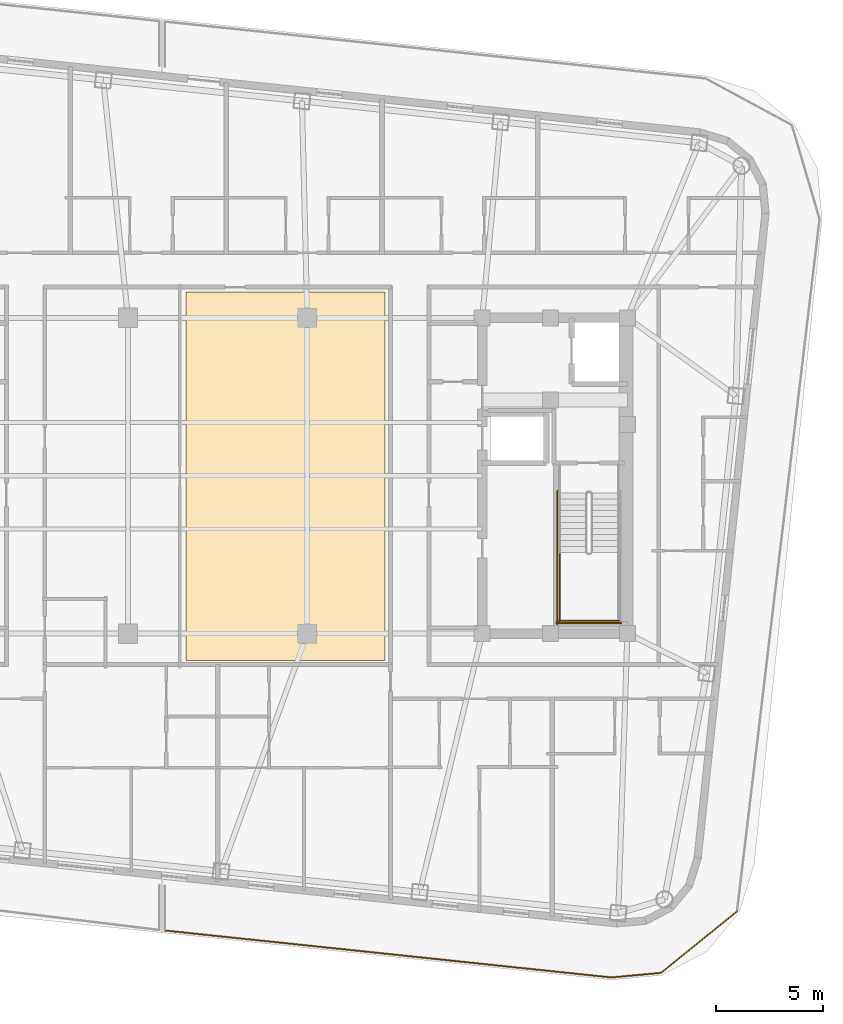
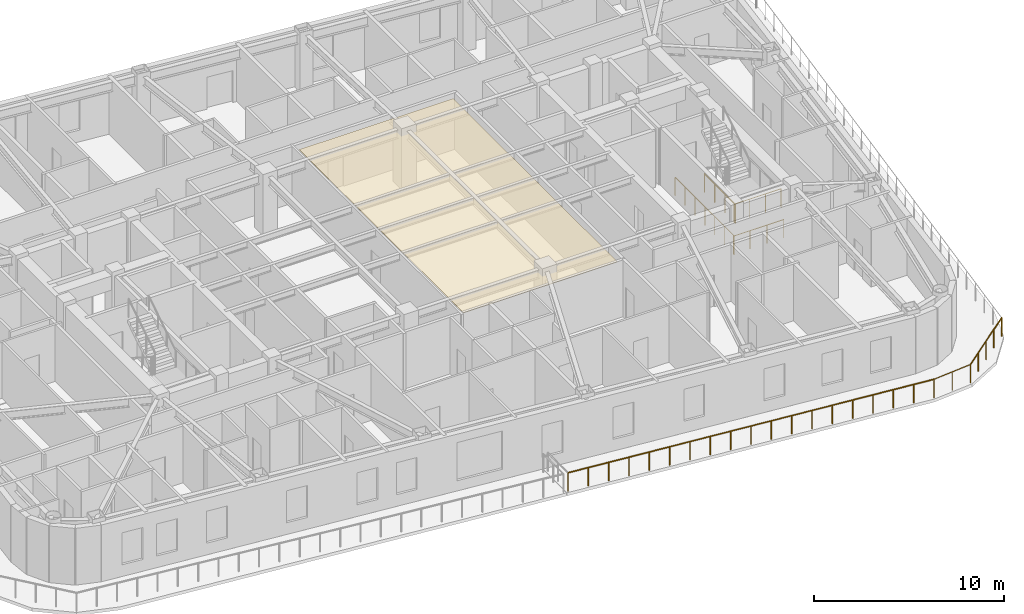
# One storey, part 12 of 14: 7 railings, 1 covering.
"""IFC4 building model written with IfcOpenShell, lengths in metres."""

from ifc_helpers import new_model, si_unit, direction, frame, origin, origin_2d, place, context, subcontext, project, spatial, polyline, circle, outline, extrude, material, layer, layer_set, type_object, element, save


model = new_model("IFC4")

# Units and contexts
model_context = context("Model", 3, precision=1e-05, world=origin(), true_north=direction((0.0, 1.0)))
body_context = subcontext(model_context, "Body", "Model", "MODEL_VIEW")
ifc_project = project(units=[si_unit("LENGTHUNIT", "METRE"), si_unit("AREAUNIT", "SQUARE_METRE"), si_unit("VOLUMEUNIT", "CUBIC_METRE"), si_unit("PLANEANGLEUNIT", "RADIAN"), si_unit("MASSUNIT", "GRAM", prefix="KILO")], contexts=[model_context])

# Site, building, storey
site_placement = place(None, origin())
site = spatial("IfcSite", under=ifc_project, at=site_placement, CompositionType="ELEMENT")
building_placement = place(site_placement, origin())
building = spatial("IfcBuilding", under=site, at=building_placement, Name="Voryun Gate Residences", CompositionType="ELEMENT")
storey_placement = place(building_placement, frame((0.0, 0.0, 291.199951171875)))
storey = spatial("IfcBuildingStorey", under=building, at=storey_placement, Name="L72", CompositionType="ELEMENT", Elevation=291.199951171875)

# Covering
ifc_material_1 = material(Name="Gypsum acoustic ceiling")
ifc_layer = layer(ifc_material_1, 0.02490234375, Name="COV_CEILING_ACOUSTIC")
ifc_layer_set = layer_set([ifc_layer], Name="Gypsum acoustic ceiling")
covering_type = type_object("IfcCoveringType", Name="COV_CEILING_ACOUSTIC", PredefinedType="CEILING", material=ifc_layer_set)
covering_placement = place(storey_placement, frame((0.0, 0.0, 3.385009765625)))
element("IfcCovering", 1, at=covering_placement, inside=storey, type_object=covering_type, Name="Acoustic ceiling CLG-L72-01", PredefinedType="CEILING", context=body_context, shape_type="SweptSolid", body=[
    extrude(outline(polyline([(-1.492919921875, -8.64990234375), (-1.492919921875, 8.60009765625), (7.840087890625, 8.60009765625), (7.840087890625, -8.64990234375), (-1.492919921875, -8.64990234375)])), origin(), (0.0, 0.0, 1.0), 0.025146484375),
])

# Railings
ifc_material_2 = material(Name="Anodised aluminium", Category="aluminium")
railing_type_1 = type_object("IfcRailingType", Name="RAIL_BALCONY_GUARD_1200", PredefinedType="GUARDRAIL", material=ifc_material_2)
railing_1_placement = place(storey_placement, frame((24.336181640625, -20.4150390625, 0.0)))
element("IfcRailing", 2, at=railing_1_placement, inside=storey, type_object=railing_type_1, Name="Terrace guard RL-L72-P2L1-04", PredefinedType="GUARDRAIL", context=body_context, shape_type="SweptSolid", body=[
    extrude(circle(Radius=0.02392578125, at=origin_2d()), frame((0.0, 0.0, 1.17578125), z_axis=(-0.777142956808, -0.629324101465, 0.0), x_axis=(0.629324101465, -0.777142956808, 0.0)), (0.0, 0.0, 1.0), 4.574951171875),
    extrude(circle(Radius=0.02099609375, at=origin_2d()), origin(), (0.0, 0.0, 1.0), 1.15185546875),
    extrude(circle(Radius=0.02099609375, at=origin_2d()), frame((-0.888916015625, -0.7197265625, 0.0)), (0.0, 0.0, 1.0), 1.15185546875),
    extrude(circle(Radius=0.02099609375, at=origin_2d()), frame((-1.77783203125, -1.439453125, 0.0)), (0.0, 0.0, 1.0), 1.15185546875),
    extrude(circle(Radius=0.02099609375, at=origin_2d()), frame((-2.66650390625, -2.159423828125, 0.0)), (0.0, 0.0, 1.0), 1.15185546875),
    extrude(circle(Radius=0.02099609375, at=origin_2d()), frame((-3.555419921875, -2.879150390625, 0.0)), (0.0, 0.0, 1.0), 1.15185546875),
])
railing_2_placement = place(storey_placement, frame((20.78076171875, -23.294189453125, 0.0)))
element("IfcRailing", 3, at=railing_2_placement, inside=storey, type_object=railing_type_1, Name="Terrace guard RL-L72-P2L1-05", PredefinedType="GUARDRAIL", context=body_context, shape_type="SweptSolid", body=[
    extrude(circle(Radius=0.02392578125, at=origin_2d()), frame((0.0, 0.0, 1.17578125), z_axis=(-0.995802234951, -0.091530917549, 0.0), x_axis=(0.091530917549, -0.995802234951, 0.0)), (0.0, 0.0, 1.0), 2.344482421875),
    extrude(circle(Radius=0.02099609375, at=origin_2d()), origin(), (0.0, 0.0, 1.0), 1.15185546875),
    extrude(circle(Radius=0.02099609375, at=origin_2d()), frame((-1.16748046875, -0.107421875, 0.0)), (0.0, 0.0, 1.0), 1.15185546875),
    extrude(circle(Radius=0.02099609375, at=origin_2d()), frame((-2.334716796875, -0.214599609375, 0.0)), (0.0, 0.0, 1.0), 1.15185546875),
])
railing_3_placement = place(storey_placement, frame((18.446044921875, -23.5087890625, 0.0)))
element("IfcRailing", 4, at=railing_3_placement, inside=storey, type_object=railing_type_1, Name="Terrace guard RL-L72-P2L1-06", PredefinedType="GUARDRAIL", context=body_context, shape_type="SweptSolid", body=[
    extrude(circle(Radius=0.02392578125, at=origin_2d()), frame((0.0, 0.0, 1.17578125), z_axis=(-0.994521279952, 0.1045343184, 0.0), x_axis=(-0.1045343184, -0.994521279952, 0.0)), (0.0, 0.0, 1.0), 21.03125),
    extrude(circle(Radius=0.02099609375, at=origin_2d()), origin(), (0.0, 0.0, 1.0), 1.15185546875),
    extrude(circle(Radius=0.02099609375, at=origin_2d()), frame((-1.162109375, 0.1220703125, 0.0)), (0.0, 0.0, 1.0), 1.15185546875),
    extrude(circle(Radius=0.02099609375, at=origin_2d()), frame((-2.323974609375, 0.244384765625, 0.0)), (0.0, 0.0, 1.0), 1.15185546875),
    extrude(circle(Radius=0.02099609375, at=origin_2d()), frame((-3.486083984375, 0.366455078125, 0.0)), (0.0, 0.0, 1.0), 1.15185546875),
    extrude(circle(Radius=0.02099609375, at=origin_2d()), frame((-4.64794921875, 0.488525390625, 0.0)), (0.0, 0.0, 1.0), 1.15185546875),
    extrude(circle(Radius=0.02099609375, at=origin_2d()), frame((-5.81005859375, 0.610595703125, 0.0)), (0.0, 0.0, 1.0), 1.15185546875),
    extrude(circle(Radius=0.02099609375, at=origin_2d()), frame((-6.971923828125, 0.73291015625, 0.0)), (0.0, 0.0, 1.0), 1.15185546875),
    extrude(circle(Radius=0.02099609375, at=origin_2d()), frame((-8.134033203125, 0.85498046875, 0.0)), (0.0, 0.0, 1.0), 1.15185546875),
    extrude(circle(Radius=0.02099609375, at=origin_2d()), frame((-9.2958984375, 0.97705078125, 0.0)), (0.0, 0.0, 1.0), 1.15185546875),
    extrude(circle(Radius=0.02099609375, at=origin_2d()), frame((-10.4580078125, 1.09912109375, 0.0)), (0.0, 0.0, 1.0), 1.15185546875),
    extrude(circle(Radius=0.02099609375, at=origin_2d()), frame((-11.6201171875, 1.221435546875, 0.0)), (0.0, 0.0, 1.0), 1.15185546875),
    extrude(circle(Radius=0.02099609375, at=origin_2d()), frame((-12.781982421875, 1.343505859375, 0.0)), (0.0, 0.0, 1.0), 1.15185546875),
    extrude(circle(Radius=0.02099609375, at=origin_2d()), frame((-13.944091796875, 1.465576171875, 0.0)), (0.0, 0.0, 1.0), 1.15185546875),
    extrude(circle(Radius=0.02099609375, at=origin_2d()), frame((-15.10595703125, 1.587890625, 0.0)), (0.0, 0.0, 1.0), 1.15185546875),
    extrude(circle(Radius=0.02099609375, at=origin_2d()), frame((-16.26806640625, 1.7099609375, 0.0)), (0.0, 0.0, 1.0), 1.15185546875),
    extrude(circle(Radius=0.02099609375, at=origin_2d()), frame((-17.429931640625, 1.83203125, 0.0)), (0.0, 0.0, 1.0), 1.15185546875),
    extrude(circle(Radius=0.02099609375, at=origin_2d()), frame((-18.592041015625, 1.9541015625, 0.0)), (0.0, 0.0, 1.0), 1.15185546875),
    extrude(circle(Radius=0.02099609375, at=origin_2d()), frame((-19.75390625, 2.076416015625, 0.0)), (0.0, 0.0, 1.0), 1.15185546875),
    extrude(circle(Radius=0.02099609375, at=origin_2d()), frame((-20.916015625, 2.198486328125, 0.0)), (0.0, 0.0, 1.0), 1.15185546875),
])
ifc_material_3 = material(Name="Painted steel", Category="steel")
railing_type_2 = type_object("IfcRailingType", Name="RAIL_STAIR_GUARD_1200", PredefinedType="GUARDRAIL", material=ifc_material_3)
railing_4_placement = place(storey_placement, frame((16.02490234375, -3.60009765625, 1.949951171875)))
element("IfcRailing", 5, at=railing_4_placement, inside=storey, type_object=railing_type_2, Name="L72 ST-E1 stair guard 3", PredefinedType="GUARDRAIL", context=body_context, shape_type="SweptSolid", body=[
    extrude(circle(Radius=0.02392578125, at=origin_2d()), frame((0.0, 0.0, 1.17578125), z_axis=(0.0, -1.0, 0.0), x_axis=(1.0, 0.0, 0.0)), (0.0, 0.0, 1.0), 3.25),
    extrude(circle(Radius=0.02099609375, at=origin_2d()), origin(), (0.0, 0.0, 1.0), 1.15185546875),
    extrude(circle(Radius=0.02099609375, at=origin_2d()), frame((0.0, -1.083251953125, 0.0)), (0.0, 0.0, 1.0), 1.15185546875),
    extrude(circle(Radius=0.02099609375, at=origin_2d()), frame((0.0, -2.166748046875, 0.0)), (0.0, 0.0, 1.0), 1.15185546875),
    extrude(circle(Radius=0.02099609375, at=origin_2d()), frame((0.0, -3.25, 0.0)), (0.0, 0.0, 1.0), 1.15185546875),
])
railing_5_placement = place(storey_placement, frame((15.97509765625, -6.800048828125, 1.949951171875)))
element("IfcRailing", 6, at=railing_5_placement, inside=storey, type_object=railing_type_2, Name="L72 ST-E1 stair guard 5", PredefinedType="GUARDRAIL", context=body_context, shape_type="SweptSolid", body=[
    extrude(circle(Radius=0.02392578125, at=origin_2d()), frame((0.0, 0.0, 1.17578125), z_axis=(1.0, 0.0, 0.0), x_axis=(0.0, 1.0, 0.0)), (0.0, 0.0, 1.0), 2.849853515625),
    extrude(circle(Radius=0.02099609375, at=origin_2d()), origin(), (0.0, 0.0, 1.0), 1.15185546875),
    extrude(circle(Radius=0.02099609375, at=origin_2d()), frame((0.949951171875, 0.0, 0.0)), (0.0, 0.0, 1.0), 1.15185546875),
    extrude(circle(Radius=0.02099609375, at=origin_2d()), frame((1.89990234375, 0.0, 0.0)), (0.0, 0.0, 1.0), 1.15185546875),
    extrude(circle(Radius=0.02099609375, at=origin_2d()), frame((2.849853515625, 0.0, 0.0)), (0.0, 0.0, 1.0), 1.15185546875),
])
railing_6_placement = place(storey_placement, frame((15.925048828125, -0.699951171875, 0.0)))
element("IfcRailing", 7, at=railing_6_placement, inside=storey, type_object=railing_type_2, Name="L72 ST-E1 stair guard 10", PredefinedType="GUARDRAIL", context=body_context, shape_type="SweptSolid", body=[
    extrude(circle(Radius=0.02392578125, at=origin_2d()), frame((0.0, 0.0, 1.17578125), z_axis=(0.0, -1.0, 0.0), x_axis=(1.0, 0.0, 0.0)), (0.0, 0.0, 1.0), 6.25),
    extrude(circle(Radius=0.02099609375, at=origin_2d()), origin(), (0.0, 0.0, 1.0), 1.15185546875),
    extrude(circle(Radius=0.02099609375, at=origin_2d()), frame((0.0, -1.041748046875, 0.0)), (0.0, 0.0, 1.0), 1.15185546875),
    extrude(circle(Radius=0.02099609375, at=origin_2d()), frame((0.0, -2.083251953125, 0.0)), (0.0, 0.0, 1.0), 1.15185546875),
    extrude(circle(Radius=0.02099609375, at=origin_2d()), frame((0.0, -3.125, 0.0)), (0.0, 0.0, 1.0), 1.15185546875),
    extrude(circle(Radius=0.02099609375, at=origin_2d()), frame((0.0, -4.166748046875, 0.0)), (0.0, 0.0, 1.0), 1.15185546875),
    extrude(circle(Radius=0.02099609375, at=origin_2d()), frame((0.0, -5.208251953125, 0.0)), (0.0, 0.0, 1.0), 1.15185546875),
    extrude(circle(Radius=0.02099609375, at=origin_2d()), frame((0.0, -6.25, 0.0)), (0.0, 0.0, 1.0), 1.15185546875),
])
railing_7_placement = place(storey_placement, frame((15.875, -6.89990234375, 0.0)))
element("IfcRailing", 8, at=railing_7_placement, inside=storey, type_object=railing_type_2, Name="L72 ST-E1 stair guard 12", PredefinedType="GUARDRAIL", context=body_context, shape_type="SweptSolid", body=[
    extrude(circle(Radius=0.02392578125, at=origin_2d()), frame((0.0, 0.0, 1.17578125), z_axis=(1.0, 0.0, 0.0), x_axis=(0.0, 1.0, 0.0)), (0.0, 0.0, 1.0), 3.050048828125),
    extrude(circle(Radius=0.02099609375, at=origin_2d()), origin(), (0.0, 0.0, 1.0), 1.15185546875),
    extrude(circle(Radius=0.02099609375, at=origin_2d()), frame((1.0166015625, 0.0, 0.0)), (0.0, 0.0, 1.0), 1.15185546875),
    extrude(circle(Radius=0.02099609375, at=origin_2d()), frame((2.033447265625, 0.0, 0.0)), (0.0, 0.0, 1.0), 1.15185546875),
    extrude(circle(Radius=0.02099609375, at=origin_2d()), frame((3.050048828125, 0.0, 0.0)), (0.0, 0.0, 1.0), 1.15185546875),
])

save(model, "model.ifc")
